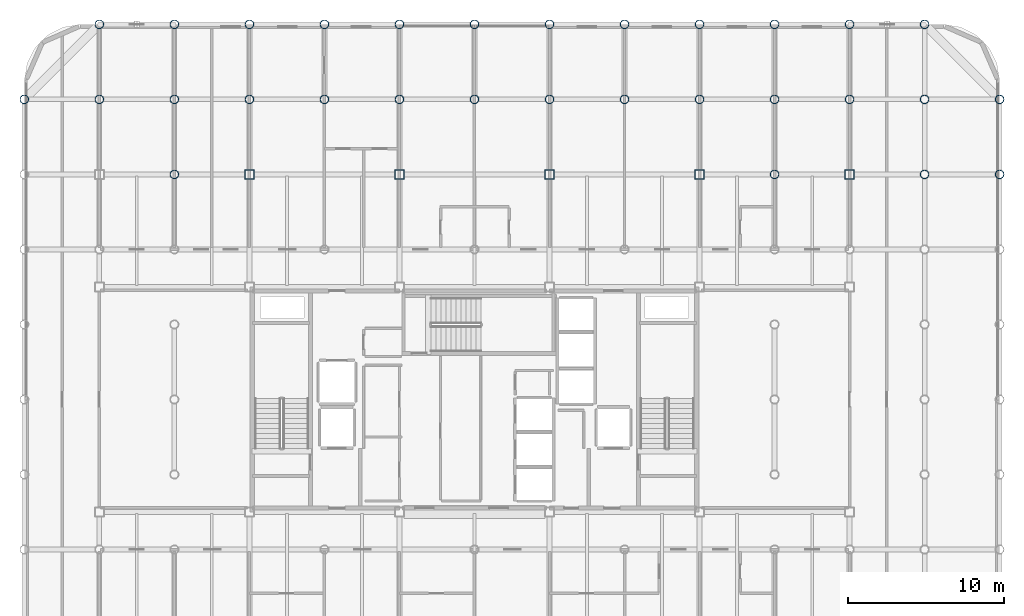
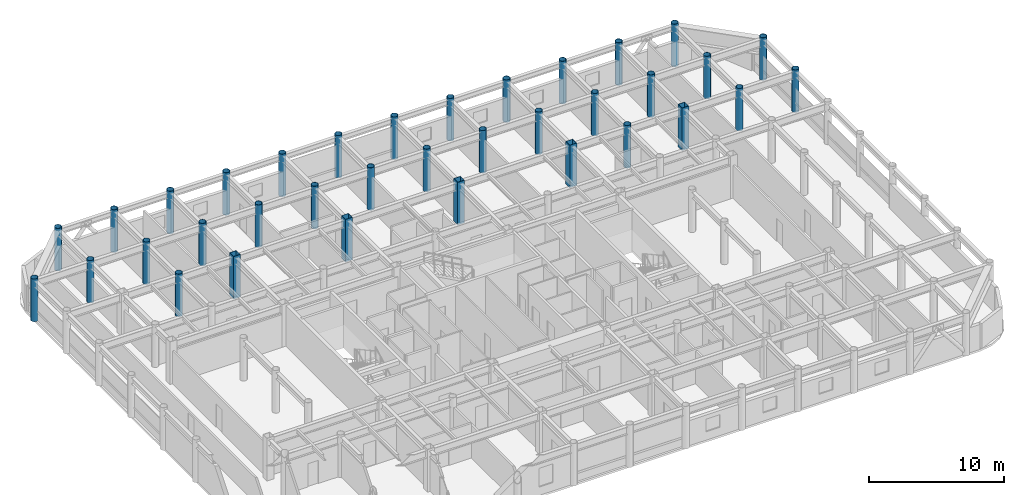
# One storey, part 2 of 23: 35 columns.
"""IFC4 building model written with IfcOpenShell, lengths in metres."""

from ifc_helpers import new_model, si_unit, direction, frame, origin, origin_2d, place, context, subcontext, project, spatial, hollow_rectangle, hollow_circle, extrude, material, material_profile, profile_set, type_object, element, save


model = new_model("IFC4")

# Units and contexts
model_context = context("Model", 3, precision=1e-05, world=origin(), true_north=direction((0.0, 1.0)))
body_context = subcontext(model_context, "Body", "Model", "MODEL_VIEW")
ifc_project = project(units=[si_unit("LENGTHUNIT", "METRE"), si_unit("AREAUNIT", "SQUARE_METRE"), si_unit("VOLUMEUNIT", "CUBIC_METRE"), si_unit("PLANEANGLEUNIT", "RADIAN"), si_unit("MASSUNIT", "GRAM", prefix="KILO")], contexts=[model_context])

# Site, building, storey
site_placement = place(None, origin())
site = spatial("IfcSite", under=ifc_project, at=site_placement, CompositionType="ELEMENT")
building_placement = place(site_placement, origin())
building = spatial("IfcBuilding", under=site, at=building_placement, Name="Kallvorn Hotel Tower", CompositionType="ELEMENT")
storey_placement = place(building_placement, frame((0.0, 0.0, 237.699951171875)))
storey = spatial("IfcBuildingStorey", under=building, at=storey_placement, Name="L59", CompositionType="ELEMENT", Elevation=237.699951171875)

# Columns
ifc_material_1 = material(Name="Structural steel S355J2H", Category="steel")
ifc_material_profile_1 = material_profile(ifc_material_1, hollow_circle(Radius=0.279541015625, WallThickness=0.02490234375, at=origin_2d()), Name="CHS 559x25")
ifc_profile_set_1 = profile_set([ifc_material_profile_1], Name="Structural steel S355J2H")
column_type_1 = type_object("IfcColumnType", Name="COL_CHS_559", PredefinedType="COLUMN", material=ifc_profile_set_1)
for number, where, z_axis, x_axis, name in (
    (1, (-28.800048828125, 19.199951171875, 0.0), (0.0, 0.0, 1.0), (1.0, 0.0, 0.0), "L59 Exoskeleton Column EC09"),
    (2, (-24.0, 19.199951171875, 0.0), (0.0, 0.0, 1.0), (1.0, 0.0, 0.0), "L59 Exoskeleton Column EC13"),
    (3, (-24.0, 24.0, 0.0), (0.0, 0.0, 1.0), (1.0, 0.0, 0.0), "L59 Exoskeleton Column EC14"),
    (4, (-19.199951171875, 14.39990234375, 0.0), (0.0, 0.0, 1.0), (1.0, 0.0, 0.0), "L59 Exoskeleton Column EC22"),
    (5, (-19.199951171875, 19.199951171875, 0.0), (0.0, 0.0, 1.0), (1.0, 0.0, 0.0), "L59 Exoskeleton Column EC23"),
    (6, (-19.199951171875, 24.0, 0.0), (0.0, 0.0, 1.0), (1.0, 0.0, 0.0), "L59 Exoskeleton Column EC24"),
    (7, (-14.39990234375, 19.199951171875, 0.0), (0.0, 0.0, 1.0), (1.0, 0.0, 0.0), "L59 Exoskeleton Column EC26"),
    (8, (-14.39990234375, 24.0, 0.0), (0.0, 0.0, 1.0), (1.0, 0.0, 0.0), "L59 Exoskeleton Column EC27"),
    (9, (-9.60009765625, 19.199951171875, 0.0), (0.0, 0.0, 1.0), (1.0, 0.0, 0.0), "L59 Exoskeleton Column EC31"),
    (10, (-9.60009765625, 24.0, 0.0), (0.0, 0.0, 1.0), (1.0, 0.0, 0.0), "L59 Exoskeleton Column EC32"),
    (11, (-4.800048828125, 19.199951171875, 0.0), (0.0, 0.0, 1.0), (1.0, 0.0, 0.0), "L59 Exoskeleton Column EC34"),
    (12, (-4.800048828125, 24.0, 0.0), (0.0, 0.0, 1.0), (1.0, 0.0, 0.0), "L59 Exoskeleton Column EC35"),
    (13, (0.0, 19.199951171875, 0.0), (0.0, 0.0, 1.0), (1.0, 0.0, 0.0), "L59 Exoskeleton Column EC39"),
    (14, (0.0, 24.0, 0.0), (0.0, 0.0, 1.0), (1.0, 0.0, 0.0), "L59 Exoskeleton Column EC40"),
    (15, (4.800048828125, 19.199951171875, 0.0), (0.0, 0.0, 1.0), (1.0, 0.0, 0.0), "L59 Exoskeleton Column EC42"),
    (16, (4.800048828125, 24.0, 0.0), (0.0, 0.0, 1.0), (1.0, 0.0, 0.0), "L59 Exoskeleton Column EC43"),
    (17, (9.60009765625, 19.199951171875, 0.0), (0.0, 0.0, 1.0), (1.0, 0.0, 0.0), "L59 Exoskeleton Column EC47"),
    (18, (9.60009765625, 24.0, 0.0), (0.0, 0.0, 1.0), (1.0, 0.0, 0.0), "L59 Exoskeleton Column EC48"),
    (19, (14.39990234375, 19.199951171875, 0.0), (0.0, 0.0, 1.0), (1.0, 0.0, 0.0), "L59 Exoskeleton Column EC50"),
    (20, (14.39990234375, 24.0, 0.0), (0.0, 0.0, 1.0), (1.0, 0.0, 0.0), "L59 Exoskeleton Column EC51"),
    (21, (19.199951171875, 14.39990234375, 0.0), (0.0, 0.0, 1.0), (1.0, 0.0, 0.0), "L59 Exoskeleton Column EC59"),
    (22, (19.199951171875, 19.199951171875, 0.0), (0.0, 0.0, 1.0), (1.0, 0.0, 0.0), "L59 Exoskeleton Column EC60"),
    (23, (19.199951171875, 24.0, 0.0), (0.0, 0.0, 1.0), (1.0, 0.0, 0.0), "L59 Exoskeleton Column EC61"),
    (24, (24.0, 19.199951171875, 0.0), (0.0, 0.0, 1.0), (1.0, 0.0, 0.0), "L59 Exoskeleton Column EC65"),
    (25, (24.0, 24.0, 0.0), (0.0, 0.0, 1.0), (1.0, 0.0, 0.0), "L59 Exoskeleton Column EC66"),
    (26, (28.800048828125, 14.39990234375, 0.0), (0.0, 0.0, 1.0), (1.0, 0.0, 0.0), "L59 Exoskeleton Column EC74"),
    (27, (28.800048828125, 19.199951171875, 0.0), (0.0, 0.0, 1.0), (1.0, 0.0, 0.0), "L59 Exoskeleton Column EC75"),
    (28, (28.800048828125, 24.0, 0.0), (0.0, 0.0, 1.0), (1.0, 0.0, 0.0), "L59 Exoskeleton Column EC76"),
    (29, (33.60009765625, 14.39990234375, 0.0), (0.0, 0.0, 1.0), (1.0, 0.0, 0.0), "L59 Exoskeleton Column EC83"),
    (30, (33.60009765625, 19.199951171875, 0.0), (0.0, 0.0, 1.0), (1.0, 0.0, 0.0), "L59 Exoskeleton Column EC84"),
):
    element("IfcColumn", number, at=place(storey_placement, frame(where, z_axis=z_axis, x_axis=x_axis)), inside=storey, type_object=column_type_1, Name=name, PredefinedType="COLUMN", context=body_context, shape_type="SweptSolid", body=[
        extrude(hollow_circle(Radius=0.279541015625, WallThickness=0.02490234375, at=origin_2d()), origin(), (0.0, 0.0, 1.0), 3.85009765625),
    ])
ifc_material_2 = material(Name="Structural steel S355J2H", Category="steel")
ifc_material_profile_2 = material_profile(ifc_material_2, hollow_rectangle(XDim=0.60009765625, YDim=0.60009765625, WallThickness=0.028076171875, at=origin_2d()), Name="RHS 600x600x28")
ifc_profile_set_2 = profile_set([ifc_material_profile_2], Name="Structural steel S355J2H")
column_type_2 = type_object("IfcColumnType", Name="COL_RHS_600", PredefinedType="COLUMN", material=ifc_profile_set_2)
for number, where, z_axis, x_axis, name in (
    (31, (-14.39990234375, 14.39990234375, 0.0), (0.0, 0.0, 1.0), (1.0, 0.0, 0.0), "L59 Inner Column IC08"),
    (32, (-4.800048828125, 14.39990234375, 0.0), (0.0, 0.0, 1.0), (1.0, 0.0, 0.0), "L59 Inner Column IC12"),
    (33, (4.800048828125, 14.39990234375, 0.0), (0.0, 0.0, 1.0), (1.0, 0.0, 0.0), "L59 Inner Column IC16"),
    (34, (14.39990234375, 14.39990234375, 0.0), (0.0, 0.0, 1.0), (1.0, 0.0, 0.0), "L59 Inner Column IC20"),
    (35, (24.0, 14.39990234375, 0.0), (0.0, 0.0, 1.0), (1.0, 0.0, 0.0), "L59 Inner Column IC24"),
):
    element("IfcColumn", number, at=place(storey_placement, frame(where, z_axis=z_axis, x_axis=x_axis)), inside=storey, type_object=column_type_2, Name=name, PredefinedType="COLUMN", context=body_context, shape_type="SweptSolid", body=[
        extrude(hollow_rectangle(XDim=0.60009765625, YDim=0.60009765625, WallThickness=0.028076171875, at=origin_2d()), origin(), (0.0, 0.0, 1.0), 3.85009765625),
    ])

save(model, "model.ifc")
